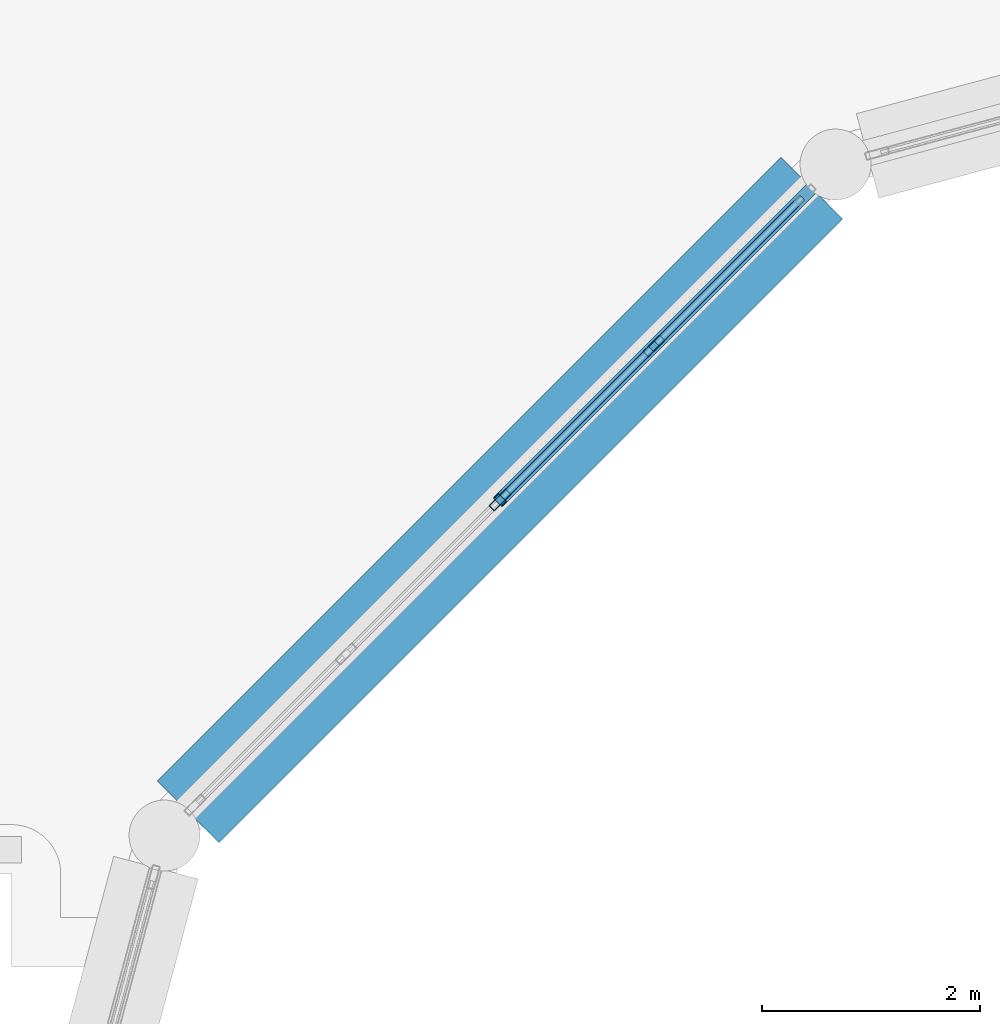
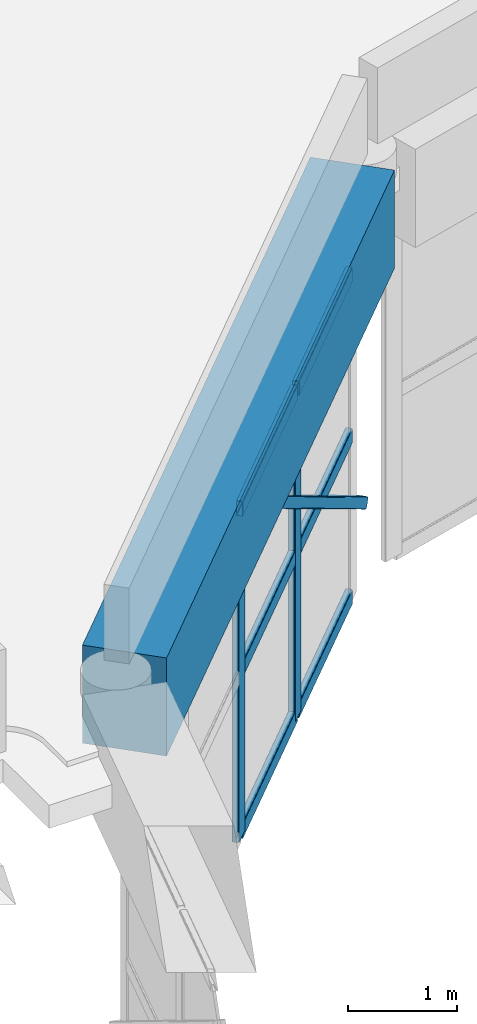
# One storey, part 21 of 48: 9 members, 1 beam, 1 element without a shape of its own.
"""IFC4 building model written with IfcOpenShell, lengths in metres."""

import ifcopenshell
import ifcopenshell.guid

model = None  # the IFC model being written
_history = None  # IfcOwnerHistory: only IFC2X3 demands one
_inside = {}  # id of a spatial element -> (the spatial element, [elements in it])
_under = {}  # id of a project, library or spatial element -> (it, [spatial elements below it])
_declared = {}  # id of a project -> (the project, [libraries it declares])
_typed = {}  # id of a type object -> (the type object, [elements of that type])
_made_of = {}  # id of a material, layer set ... -> (it, [elements and type objects made of it])


def new_model(schema):
    """Start an empty IFC model of exactly this schema.

    Asked for "IFC4X3", IfcOpenShell would pick the latest addendum, in which some entities
    have other attributes; the version numbers below select the first issue.
    IFC2X3 requires an IfcOwnerHistory on every rooted entity: one is made here for all.
    """
    global model, _history
    if schema == "IFC4X3":
        model = ifcopenshell.file(schema_version=(4, 3, 0, 0))
    else:
        model = ifcopenshell.file(schema=schema)
    _inside.clear()
    _under.clear()
    _declared.clear()
    _typed.clear()
    _made_of.clear()
    _history = None
    if model.schema == "IFC2X3":
        org = make("IfcOrganization", Name="unknown")
        user = make(
            "IfcPersonAndOrganization",
            ThePerson=make("IfcPerson", FamilyName="unknown"),
            TheOrganization=org,
        )
        app = make(
            "IfcApplication",
            ApplicationDeveloper=org,
            Version="unknown",
            ApplicationFullName="unknown",
            ApplicationIdentifier="unknown",
        )
        _history = make(
            "IfcOwnerHistory",
            OwningUser=user,
            OwningApplication=app,
            ChangeAction="ADDED",
            CreationDate=0,
        )
    return model


def make(cls, **values):
    """One entity of the class cls with the attributes given. An attribute that is None is left unset."""
    return model.create_entity(
        cls, **{name: value for name, value in values.items() if value is not None}
    )


def rooted(cls, **values):
    """An entity with a GlobalId (a new one), such as an element, a storey or a relation."""
    return make(cls, GlobalId=ifcopenshell.guid.new(), OwnerHistory=_history, **values)


def si_unit(unit_type, name, prefix=None):
    """IfcSIUnit, for example si_unit("LENGTHUNIT", "METRE", prefix="MILLI")."""
    return make("IfcSIUnit", UnitType=unit_type, Prefix=prefix, Name=name)


def derived_unit(unit_type, elements):
    """IfcDerivedUnit: a product of units, each with its exponent."""
    return make(
        "IfcDerivedUnit",
        Elements=[
            make("IfcDerivedUnitElement", Unit=unit, Exponent=power)
            for unit, power in elements
        ],
        UnitType=unit_type,
    )


def assignment(units):
    """IfcUnitAssignment: the units of a project."""
    return None if units is None else make("IfcUnitAssignment", Units=units)


def point(xyz):
    """IfcCartesianPoint."""
    return None if xyz is None else make("IfcCartesianPoint", Coordinates=xyz)


def direction(xyz):
    """IfcDirection."""
    return None if xyz is None else make("IfcDirection", DirectionRatios=xyz)


def frame(location, z_axis=None, x_axis=None):
    """IfcAxis2Placement3D, a coordinate frame: its origin and axes. An axis left out is left unset."""
    return make(
        "IfcAxis2Placement3D",
        Location=point(location),
        Axis=direction(z_axis),
        RefDirection=direction(x_axis),
    )


def frame_2d(location, x_axis=None):
    """IfcAxis2Placement2D, a coordinate frame in the plane: its origin and x axis."""
    return make(
        "IfcAxis2Placement2D", Location=point(location), RefDirection=direction(x_axis)
    )


def origin():
    """The frame at (0, 0, 0) with its axes left unset."""
    return frame((0.0, 0.0, 0.0))


def origin_2d():
    """The frame at (0, 0) in the plane with its x axis left unset."""
    return frame_2d((0.0, 0.0))


def place(relative_to, where):
    """IfcLocalPlacement: puts the frame where relative to a parent placement (None: the world)."""
    return make(
        "IfcLocalPlacement", PlacementRelTo=relative_to, RelativePlacement=where
    )


def context(
    kind, dimensions, precision=None, world=None, true_north=None, identifier=None
):
    """IfcGeometricRepresentationContext, for example the 3D "Model" context."""
    return make(
        "IfcGeometricRepresentationContext",
        ContextIdentifier=identifier,
        ContextType=kind,
        CoordinateSpaceDimension=dimensions,
        Precision=precision,
        WorldCoordinateSystem=world,
        TrueNorth=true_north,
    )


def subcontext(parent, identifier, kind, view, scale=None):
    """IfcGeometricRepresentationSubContext, for example "Body" below "Model"."""
    return make(
        "IfcGeometricRepresentationSubContext",
        ContextIdentifier=identifier,
        ContextType=kind,
        ParentContext=parent,
        TargetScale=scale,
        TargetView=view,
    )


def project(units=None, contexts=None):
    """IfcProject with its units and contexts."""
    return rooted(
        "IfcProject",
        Name="project",
        RepresentationContexts=contexts,
        UnitsInContext=assignment(units),
    )


def spatial(cls, under=None, at=None, **own):
    """A site, building, storey or space (cls), placed at a placement, below another one or the project."""
    s = rooted(cls, ObjectPlacement=at, **own)
    if under is not None:
        _under.setdefault(under.id(), (under, []))[1].append(s)
    return s


def profile(cls, at=None, kind="AREA", **sizes):
    """A parametric profile (cls). Its sizes go by their IFC names, for example OverallWidth=200.0."""
    return make(cls, ProfileType=kind, Position=at, **sizes)


def rectangle(**sizes):
    """IfcRectangleProfileDef."""
    return profile("IfcRectangleProfileDef", **sizes)


def hollow_rectangle(**sizes):
    """IfcRectangleHollowProfileDef."""
    return profile("IfcRectangleHollowProfileDef", **sizes)


def extrude(swept, where, along, depth):
    """IfcExtrudedAreaSolid: the profile swept, set in the frame where, extruded along a direction by depth."""
    return make(
        "IfcExtrudedAreaSolid",
        SweptArea=swept,
        Position=where,
        ExtrudedDirection=direction(along),
        Depth=depth,
    )


def shape(context_of_items, identifier, shape_type, items):
    """IfcShapeRepresentation: the items that make up one representation, for example the "Body"."""
    return make(
        "IfcShapeRepresentation",
        ContextOfItems=context_of_items,
        RepresentationIdentifier=identifier,
        RepresentationType=shape_type,
        Items=items,
    )


def material(Name=None, Category=None):
    """IfcMaterial."""
    return make("IfcMaterial", Name=Name, Category=Category)


def material_profile(
    of_material, cross_section, Name=None, Category=None, Priority=None
):
    """IfcMaterialProfile: a cross section and its material."""
    return make(
        "IfcMaterialProfile",
        Name=Name,
        Material=of_material,
        Profile=cross_section,
        Priority=Priority,
        Category=Category,
    )


def profile_set(profiles, Name=None, composite=None):
    """IfcMaterialProfileSet."""
    return make(
        "IfcMaterialProfileSet",
        Name=Name,
        MaterialProfiles=profiles,
        CompositeProfile=composite,
    )


def made_of(thing, what):
    """Note that an element or type object is made of a material, layer set ...; save() writes the relation."""
    if what is not None:
        _made_of.setdefault(what.id(), (what, []))[1].append(thing)
    return thing


def type_object(cls, material=None, **own):
    """A type object (cls), such as IfcWallType, which elements share."""
    return made_of(rooted(cls, **own), material)


def element(
    cls,
    number,
    at=None,
    inside=None,
    cuts=None,
    type_object=None,
    material=None,
    context=None,
    identifier="Body",
    shape_type=None,
    held_by="IfcProductDefinitionShape",
    body=None,
    shapes=None,
    **own,
):
    """One element of the class cls, such as IfcWall. Its Tag is "e" and its number.

    at: its placement. inside: the storey or other place that contains it. cuts: it is an
    opening in that element (IfcRelVoidsElement). A single representation is given by context,
    identifier, shape_type and body (its items); several are given by shapes. held_by: the class
    of the entity that holds the representations. save() writes the other relations.
    """
    e = rooted(cls, Tag="e%d" % number, ObjectPlacement=at, **own)
    if body is not None:
        shapes = [shape(context, identifier, shape_type, body)]
    if shapes is not None:
        e.Representation = make(held_by, Representations=shapes)
    if inside is not None:
        _inside.setdefault(inside.id(), (inside, []))[1].append(e)
    if cuts is not None:
        rooted(
            "IfcRelVoidsElement", RelatingBuildingElement=cuts, RelatedOpeningElement=e
        )
    if type_object is not None:
        _typed.setdefault(type_object.id(), (type_object, []))[1].append(e)
    return made_of(e, material)


def aggregate(whole, parts):
    """IfcRelAggregates: a whole, such as a stair, and the parts it consists of."""
    return rooted("IfcRelAggregates", RelatingObject=whole, RelatedObjects=parts)


def save(model, path):
    """Write the relations noted so far, then the file.

    IfcRelAggregates (storeys below a building ...), IfcRelContainedInSpatialStructure (elements
    in a storey), IfcRelDefinesByType, IfcRelAssociatesMaterial and IfcRelDeclares: one each for
    every whole, place, type object, material and project.
    """
    for whole, parts in _under.values():
        aggregate(whole, parts)
    for where, things in _inside.values():
        rooted(
            "IfcRelContainedInSpatialStructure",
            RelatedElements=things,
            RelatingStructure=where,
        )
    for kind, things in _typed.values():
        rooted("IfcRelDefinesByType", RelatedObjects=things, RelatingType=kind)
    for what, things in _made_of.values():
        rooted("IfcRelAssociatesMaterial", RelatedObjects=things, RelatingMaterial=what)
    for by, libraries in _declared.values():
        rooted("IfcRelDeclares", RelatingContext=by, RelatedDefinitions=libraries)
    model.write(path)


model = new_model("IFC4")

# Units and contexts
model_context = context("Model", 3, precision=1e-05, world=origin(), true_north=direction((0.0, 1.0)))
body_context = subcontext(model_context, "Body", "Model", "MODEL_VIEW")
ifc_project = project(units=[si_unit("LENGTHUNIT", "METRE"), si_unit("AREAUNIT", "SQUARE_METRE"), si_unit("VOLUMEUNIT", "CUBIC_METRE"), si_unit("PLANEANGLEUNIT", "RADIAN"), si_unit("MASSUNIT", "GRAM", prefix="KILO"), derived_unit("THERMALTRANSMITTANCEUNIT", [(si_unit("POWERUNIT", "WATT"), 1), (si_unit("LENGTHUNIT", "METRE"), -2), (si_unit("THERMODYNAMICTEMPERATUREUNIT", "KELVIN"), -1)])], contexts=[model_context])

# Site, building, storey
site_placement = place(None, origin())
site = spatial("IfcSite", under=ifc_project, at=site_placement, CompositionType="ELEMENT")
building_placement = place(site_placement, origin())
building = spatial("IfcBuilding", under=site, at=building_placement, Name="Veybourne Emporium", CompositionType="ELEMENT")
storey_placement = place(building_placement, frame((0.0, 0.0, 27.89990234375)))
storey = spatial("IfcBuildingStorey", under=building, at=storey_placement, Name="L06", CompositionType="ELEMENT", Elevation=27.89990234375)

# Curtain wall, members
ifc_material_1 = material(Name="Patinated Architectural Bronze", Category="bronze")
curtain_wall_type = type_object("IfcCurtainWallType", Name="CWSystem_CWS-25", PredefinedType="NOTDEFINED", material=ifc_material_1)
curtain_wall_placement = place(storey_placement, origin())
curtain_wall = element("IfcCurtainWall", 1, at=curtain_wall_placement, inside=storey, type_object=curtain_wall_type, Name="Atrium drum clerestory curtain wall 05", PredefinedType="NOTDEFINED")
ifc_material_profile_1 = material_profile(ifc_material_1, hollow_rectangle(XDim=0.070068359375, YDim=0.219970703125, WallThickness=0.0048828125, InnerFilletRadius=0.007568359375, OuterFilletRadius=0.012451171875, at=origin_2d()), Name="CWM 70x220x5")
ifc_profile_set_1 = profile_set([ifc_material_profile_1], Name="Patinated Architectural Bronze")
member_type_1 = type_object("IfcMemberType", Name="CWMullion_CW-M4", PredefinedType="MULLION", material=ifc_profile_set_1)
member_1_placement = place(storey_placement, frame((65.535400390625, 63.28466796875, -4.5), z_axis=(0.0, 0.0, 1.0), x_axis=(0.707106781187, -0.707106781187, 0.0)))
member_1 = element("IfcMember", 2, at=member_1_placement, type_object=member_type_1, Name="CWS-25 mullion 2", PredefinedType="MULLION", context=body_context, shape_type="SweptSolid", body=[
    extrude(hollow_rectangle(XDim=0.070068359375, YDim=0.219970703125, WallThickness=0.0048828125, InnerFilletRadius=0.007568359375, OuterFilletRadius=0.012451171875, at=origin_2d()), origin(), (0.0, 0.0, 1.0), 3.68017578125),
])
member_2_placement = place(storey_placement, frame((64.12548828125, 61.87451171875, -4.5), z_axis=(0.0, 0.0, 1.0), x_axis=(0.707106781187, -0.707106781187, 0.0)))
member_2 = element("IfcMember", 3, at=member_2_placement, type_object=member_type_1, Name="CWS-25 mullion 3", PredefinedType="MULLION", context=body_context, shape_type="SweptSolid", body=[
    extrude(hollow_rectangle(XDim=0.070068359375, YDim=0.219970703125, WallThickness=0.0048828125, InnerFilletRadius=0.007568359375, OuterFilletRadius=0.012451171875, at=origin_2d()), origin(), (0.0, 0.0, 1.0), 3.68017578125),
])
ifc_material_profile_2 = material_profile(ifc_material_1, hollow_rectangle(XDim=0.070068359375, YDim=0.169921875, WallThickness=0.0048828125, InnerFilletRadius=0.007568359375, OuterFilletRadius=0.012451171875, at=origin_2d()), Name="CWT 70x170x5")
ifc_profile_set_2 = profile_set([ifc_material_profile_2], Name="Patinated Architectural Bronze")
member_type_2 = type_object("IfcMemberType", Name="CWTransom_CW-T4", PredefinedType="NOTDEFINED", material=ifc_profile_set_2)
member_3_placement = place(storey_placement, frame((66.89599609375, 64.645263671875, -4.46484375), z_axis=(-0.707106781187, -0.707106781187, 0.0), x_axis=(0.707106781187, -0.707106781187, 0.0)))
member_3 = element("IfcMember", 4, at=member_3_placement, type_object=member_type_2, Name="CWS-25 transom 1.1", ObjectType="TRANSOM", PredefinedType="USERDEFINED", context=body_context, shape_type="SweptSolid", body=[
    extrude(hollow_rectangle(XDim=0.070068359375, YDim=0.169921875, WallThickness=0.0048828125, InnerFilletRadius=0.007568359375, OuterFilletRadius=0.012451171875, at=origin_2d()), origin(), (0.0, 0.0, 1.0), 1.889404296875),
])
member_4_placement = place(storey_placement, frame((66.89599609375, 64.645263671875, -2.659912109375), z_axis=(-0.707106781187, -0.707106781187, 0.0), x_axis=(0.707106781187, -0.707106781187, 0.0)))
member_4 = element("IfcMember", 5, at=member_4_placement, type_object=member_type_2, Name="CWS-25 transom 1.2", ObjectType="TRANSOM", PredefinedType="USERDEFINED", context=body_context, shape_type="SweptSolid", body=[
    extrude(hollow_rectangle(XDim=0.070068359375, YDim=0.169921875, WallThickness=0.0048828125, InnerFilletRadius=0.007568359375, OuterFilletRadius=0.012451171875, at=origin_2d()), origin(), (0.0, 0.0, 1.0), 1.889404296875),
])
member_5_placement = place(storey_placement, frame((66.89599609375, 64.645263671875, -0.85498046875), z_axis=(-0.707106781187, -0.707106781187, 0.0), x_axis=(0.707106781187, -0.707106781187, 0.0)))
member_5 = element("IfcMember", 6, at=member_5_placement, type_object=member_type_2, Name="CWS-25 transom 1.3", ObjectType="TRANSOM", PredefinedType="USERDEFINED", context=body_context, shape_type="SweptSolid", body=[
    extrude(hollow_rectangle(XDim=0.070068359375, YDim=0.169921875, WallThickness=0.0048828125, InnerFilletRadius=0.007568359375, OuterFilletRadius=0.012451171875, at=origin_2d()), origin(), (0.0, 0.0, 1.0), 1.889404296875),
])
member_6_placement = place(storey_placement, frame((65.5107421875, 63.260009765625, -4.46484375), z_axis=(-0.707106781187, -0.707106781187, 0.0), x_axis=(0.707106781187, -0.707106781187, 0.0)))
member_6 = element("IfcMember", 7, at=member_6_placement, type_object=member_type_2, Name="CWS-25 transom 2.1", ObjectType="TRANSOM", PredefinedType="USERDEFINED", context=body_context, shape_type="SweptSolid", body=[
    extrude(hollow_rectangle(XDim=0.070068359375, YDim=0.169921875, WallThickness=0.0048828125, InnerFilletRadius=0.007568359375, OuterFilletRadius=0.012451171875, at=origin_2d()), origin(), (0.0, 0.0, 1.0), 1.924072265625),
])
member_7_placement = place(storey_placement, frame((65.5107421875, 63.260009765625, -2.659912109375), z_axis=(-0.707106781187, -0.707106781187, 0.0), x_axis=(0.707106781187, -0.707106781187, 0.0)))
member_7 = element("IfcMember", 8, at=member_7_placement, type_object=member_type_2, Name="CWS-25 transom 2.2", ObjectType="TRANSOM", PredefinedType="USERDEFINED", context=body_context, shape_type="SweptSolid", body=[
    extrude(hollow_rectangle(XDim=0.070068359375, YDim=0.169921875, WallThickness=0.0048828125, InnerFilletRadius=0.007568359375, OuterFilletRadius=0.012451171875, at=origin_2d()), origin(), (0.0, 0.0, 1.0), 1.924072265625),
])
member_8_placement = place(storey_placement, frame((65.5107421875, 63.260009765625, -0.85498046875), z_axis=(-0.707106781187, -0.707106781187, 0.0), x_axis=(0.707106781187, -0.707106781187, 0.0)))
member_8 = element("IfcMember", 9, at=member_8_placement, type_object=member_type_2, Name="CWS-25 transom 2.3", ObjectType="TRANSOM", PredefinedType="USERDEFINED", context=body_context, shape_type="SweptSolid", body=[
    extrude(hollow_rectangle(XDim=0.070068359375, YDim=0.169921875, WallThickness=0.0048828125, InnerFilletRadius=0.007568359375, OuterFilletRadius=0.012451171875, at=origin_2d()), origin(), (0.0, 0.0, 1.0), 1.924072265625),
])
aggregate(curtain_wall, [member_1, member_2, member_3, member_4, member_5, member_6, member_7, member_8])

# Beam
ifc_material_2 = material(Name="Concrete C40/50", Category="concrete")
ifc_material_profile_3 = material_profile(ifc_material_2, rectangle(XDim=0.800048828125, YDim=1.10009765625, at=origin_2d()), Name="RC 800x1100")
ifc_profile_set_3 = profile_set([ifc_material_profile_3], Name="Concrete C40/50")
beam_type = type_object("IfcBeamType", Name="RCBeam_RB-01", PredefinedType="BEAM", material=ifc_profile_set_3)
beam_placement = place(storey_placement, frame((66.984375, 64.733642578125, -0.25), z_axis=(-0.707106781187, -0.707106781187, 0.0), x_axis=(0.707106781187, -0.707106781187, 0.0)))
element("IfcBeam", 10, at=beam_placement, inside=storey, type_object=beam_type, Name="Atrium ring beam RB-01 L06-05", PredefinedType="BEAM", context=body_context, shape_type="SweptSolid", body=[
    extrude(rectangle(XDim=0.800048828125, YDim=1.10009765625, at=origin_2d()), origin(), (0.0, 0.0, 1.0), 8.08642578125),
])

# Member
ifc_material_3 = material(Name="Steel S355", Category="steel")
ifc_material_profile_4 = material_profile(ifc_material_3, hollow_rectangle(XDim=0.1201171875, YDim=0.1201171875, WallThickness=0.00634765625, InnerFilletRadius=0.009521484375, OuterFilletRadius=0.015869140625, at=origin_2d()), Name="SHS 120x120x6.3")
ifc_profile_set_4 = profile_set([ifc_material_profile_4], Name="Steel S355")
member_type_3 = type_object("IfcMemberType", Name="SteelMem_CS-02", PredefinedType="STRUT", material=ifc_profile_set_4)
member_9_placement = place(storey_placement, frame((67.199951171875, 64.94921875, -3.699951171875), z_axis=(-0.58512542811, -0.58517189245, 0.561428614933), x_axis=(0.707134854905, -0.707078706354, 0.0)))
element("IfcMember", 11, at=member_9_placement, inside=storey, type_object=member_type_3, Name="Drum clerestory diagonal strut 05", PredefinedType="STRUT", context=body_context, shape_type="SweptSolid", body=[
    extrude(hollow_rectangle(XDim=0.1201171875, YDim=0.1201171875, WallThickness=0.00634765625, InnerFilletRadius=0.009521484375, OuterFilletRadius=0.015869140625, at=origin_2d()), origin(), (0.0, 0.0, 1.0), 5.25439453125),
])

save(model, "model.ifc")
